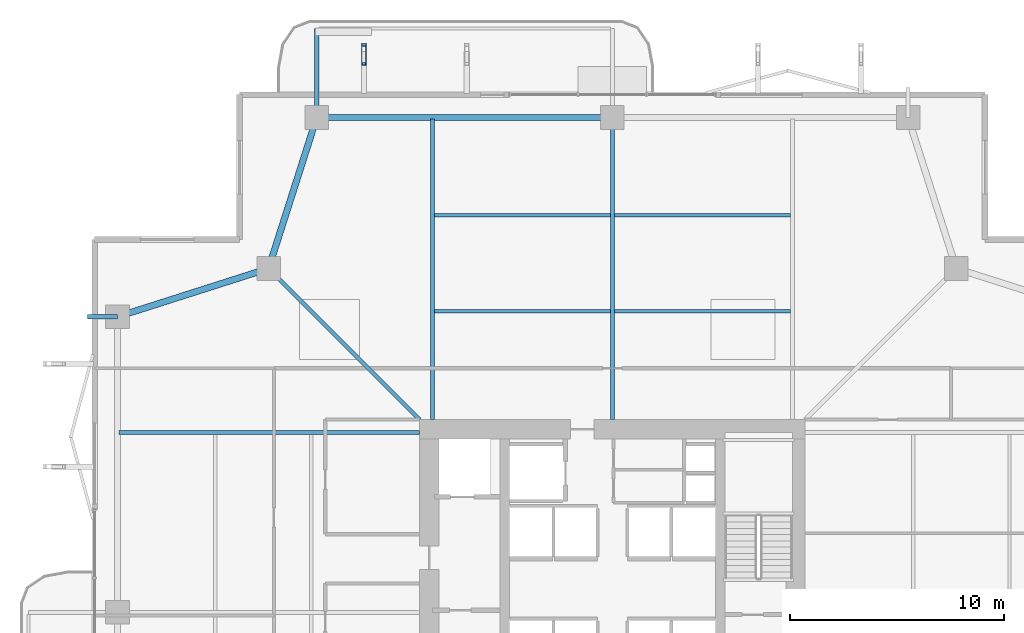
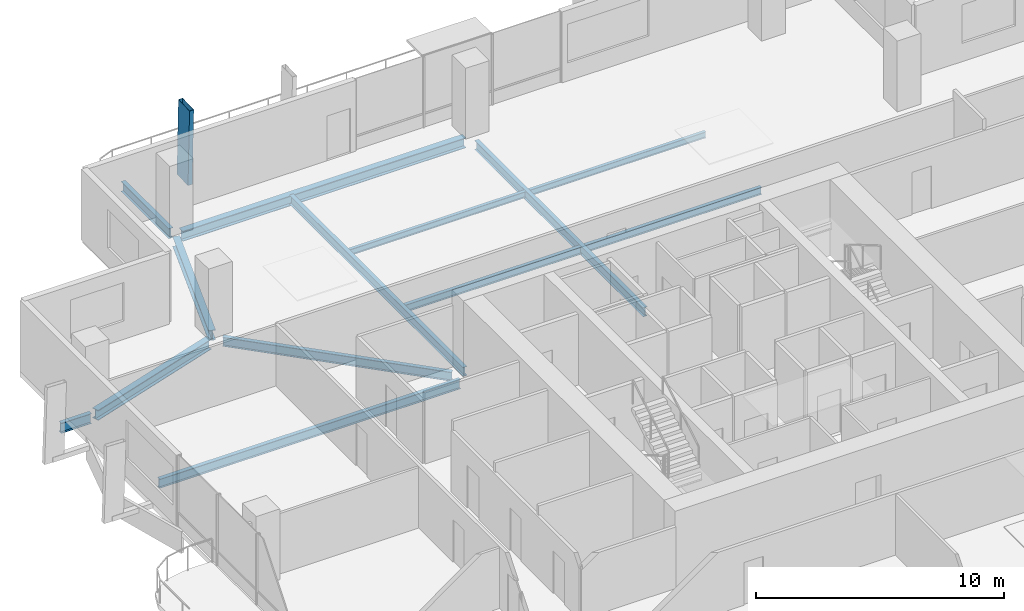
# One storey, part 12 of 25: 13 beams, 1 member.
"""IFC4 building model written with IfcOpenShell, lengths in metres."""

from ifc_helpers import new_model, si_unit, direction, frame, origin, origin_2d, place, context, subcontext, project, spatial, hollow_rectangle, i_section, extrude, material, material_profile, profile_set, type_object, element, save


model = new_model("IFC4")

# Units and contexts
model_context = context("Model", 3, precision=1e-05, world=origin(), true_north=direction((0.0, 1.0)))
body_context = subcontext(model_context, "Body", "Model", "MODEL_VIEW")
ifc_project = project(units=[si_unit("LENGTHUNIT", "METRE"), si_unit("AREAUNIT", "SQUARE_METRE"), si_unit("VOLUMEUNIT", "CUBIC_METRE"), si_unit("PLANEANGLEUNIT", "RADIAN"), si_unit("MASSUNIT", "GRAM", prefix="KILO")], contexts=[model_context])

# Site, building, storey
site_placement = place(None, origin())
site = spatial("IfcSite", under=ifc_project, at=site_placement, CompositionType="ELEMENT")
building_placement = place(site_placement, origin())
building = spatial("IfcBuilding", under=site, at=building_placement, Name="Belovzor Exchange Tower", CompositionType="ELEMENT")
storey_placement = place(building_placement, frame((0.0, 0.0, 142.050048828125)))
storey = spatial("IfcBuildingStorey", under=building, at=storey_placement, Name="L34", CompositionType="ELEMENT", Elevation=142.050048828125)

# Beams
ifc_material_1 = material(Name="Steel S355", Category="steel")
ifc_material_profile_1 = material_profile(ifc_material_1, i_section(OverallWidth=0.199951171875, OverallDepth=0.5, WebThickness=0.01025390625, FlangeThickness=0.01611328125, at=origin_2d()))
ifc_profile_set_1 = profile_set([ifc_material_profile_1], Name="Steel S355")
beam_type_1 = type_object("IfcBeamType", Name="Planted Balcony Cantilever Beam IPE 500", PredefinedType="BEAM", material=ifc_profile_set_1)
beam_1_placement = place(storey_placement, frame((15.0, 52.202880859375, -0.505126953125), z_axis=(0.0, 1.0, 0.0), x_axis=(-1.0, 0.0, 0.0)))
element("IfcBeam", 1, at=beam_1_placement, inside=storey, type_object=beam_type_1, Name="BC-500 Planted Balcony Cantilever Beam IPE 500", PredefinedType="BEAM", context=body_context, shape_type="SweptSolid", body=[
    extrude(i_section(OverallWidth=0.199951171875, OverallDepth=0.5, WebThickness=0.01025390625, FlangeThickness=0.01611328125, at=origin_2d()), origin(), (0.0, 0.0, 1.0), 3.85009765625),
])
beam_2_placement = place(storey_placement, frame((5.699951171875, 42.60009765625, -0.505126953125), z_axis=(-1.0, 0.0, 0.0), x_axis=(0.0, -1.0, 0.0)))
element("IfcBeam", 2, at=beam_2_placement, inside=storey, type_object=beam_type_1, Name="BC-500 Planted Balcony Cantilever Beam IPE 500", PredefinedType="BEAM", context=body_context, shape_type="SweptSolid", body=[
    extrude(i_section(OverallWidth=0.199951171875, OverallDepth=0.5, WebThickness=0.01025390625, FlangeThickness=0.01611328125, at=origin_2d()), origin(), (0.0, 0.0, 1.0), 1.39990234375),
])
ifc_material_2 = material(Name="Steel S355", Category="steel")
ifc_material_profile_2 = material_profile(ifc_material_2, i_section(OverallWidth=0.169921875, OverallDepth=0.360107421875, WebThickness=0.008056640625, FlangeThickness=0.0126953125, at=origin_2d()))
ifc_profile_set_2 = profile_set([ifc_material_profile_2], Name="Steel S355")
beam_type_2 = type_object("IfcBeamType", Name="Secondary Infill Floor Joist IPE 360", PredefinedType="BEAM", material=ifc_profile_set_2)
for number, where, z_axis, x_axis, name in (
    (3, (20.4951171875, 42.84912109375, -0.43505859375), (1.0, 0.0, 0.0), (0.0, 1.0, 0.0), "FJ-360 Secondary Infill Floor Joist IPE 360"),
    (4, (28.89501953125, 42.84912109375, -0.43505859375), (1.0, 0.0, 0.0), (0.0, 1.0, 0.0), "FJ-360 Secondary Infill Floor Joist IPE 360"),
):
    element("IfcBeam", number, at=place(storey_placement, frame(where, z_axis=z_axis, x_axis=x_axis)), inside=storey, type_object=beam_type_2, Name=name, PredefinedType="BEAM", context=body_context, shape_type="SweptSolid", body=[
        extrude(i_section(OverallWidth=0.169921875, OverallDepth=0.360107421875, WebThickness=0.008056640625, FlangeThickness=0.0126953125, at=origin_2d()), origin(), (0.0, 0.0, 1.0), 8.2099609375),
    ])
ifc_material_3 = material(Name="Steel S355", Category="steel")
ifc_material_profile_3 = material_profile(ifc_material_3, i_section(OverallWidth=0.14990234375, OverallDepth=0.300048828125, WebThickness=0.007080078125, FlangeThickness=0.0107421875, at=origin_2d()))
ifc_profile_set_3 = profile_set([ifc_material_profile_3], Name="Steel S355")
beam_type_3 = type_object("IfcBeamType", Name="Secondary Trim Floor Joist IPE 300", PredefinedType="BEAM", material=ifc_profile_set_3)
for number, where, z_axis, x_axis, name in (
    (5, (20.4951171875, 47.3369140625, -0.405029296875), (1.0, 0.0, 0.0), (0.0, 1.0, 0.0), "FJ-300 Secondary Trim Floor Joist IPE 300"),
    (6, (28.89501953125, 47.3369140625, -0.405029296875), (1.0, 0.0, 0.0), (0.0, 1.0, 0.0), "FJ-300 Secondary Trim Floor Joist IPE 300"),
):
    element("IfcBeam", number, at=place(storey_placement, frame(where, z_axis=z_axis, x_axis=x_axis)), inside=storey, type_object=beam_type_3, Name=name, PredefinedType="BEAM", context=body_context, shape_type="SweptSolid", body=[
        extrude(i_section(OverallWidth=0.14990234375, OverallDepth=0.300048828125, WebThickness=0.007080078125, FlangeThickness=0.0107421875, at=origin_2d()), origin(), (0.0, 0.0, 1.0), 8.2099609375),
    ])

# Member
ifc_material_4 = material(Name="Extruded Architectural Terracotta on Steel S355 Carrier", Category="masonry")
ifc_material_profile_4 = material_profile(ifc_material_4, hollow_rectangle(XDim=0.199951171875, YDim=0.89990234375, WallThickness=0.011962890625, at=origin_2d()))
ifc_profile_set_4 = profile_set([ifc_material_profile_4], Name="Extruded Architectural Terracotta on Steel S355 Carrier")
member_type = type_object("IfcMemberType", Name="Sweeping Terracotta Baguette Fin Assembly 1250", PredefinedType="USERDEFINED", material=ifc_profile_set_4)
member_placement = place(storey_placement, frame((17.199951171875, 54.906982421875, -0.255126953125), z_axis=(0.0, -0.033054843619, 0.999453539347), x_axis=(1.0, 0.0, 0.0)))
element("IfcMember", 7, at=member_placement, inside=storey, type_object=member_type, Name="FIN-TC125 Terracotta Facade Fin L34 N1", ObjectType="FIN", PredefinedType="USERDEFINED", context=body_context, shape_type="SweptSolid", body=[
    extrude(hollow_rectangle(XDim=0.199951171875, YDim=0.89990234375, WallThickness=0.011962890625, at=origin_2d()), origin(), (0.0, 0.0, 1.0), 3.751953125),
])

# Beams
ifc_material_5 = material(Name="Steel S355", Category="steel")
ifc_material_profile_5 = material_profile(ifc_material_5, i_section(OverallWidth=0.18994140625, OverallDepth=0.449951171875, WebThickness=0.009521484375, FlangeThickness=0.0146484375, at=origin_2d()))
ifc_profile_set_5 = profile_set([ifc_material_profile_5], Name="Steel S355")
beam_type_4 = type_object("IfcBeamType", Name="Zone 2-4 Radial Composite Floor Beam IPE 450", PredefinedType="BEAM", material=ifc_profile_set_5)
beam_3_placement = place(storey_placement, frame((20.39990234375, 37.800048828125, -0.47998046875), z_axis=(0.0, 1.0, 0.0), x_axis=(-1.0, 0.0, 0.0)))
element("IfcBeam", 8, at=beam_3_placement, inside=storey, type_object=beam_type_4, Name="FB-450 Zone 2-4 Radial Composite Floor Beam IPE 450", PredefinedType="BEAM", context=body_context, shape_type="SweptSolid", body=[
    extrude(i_section(OverallWidth=0.18994140625, OverallDepth=0.449951171875, WebThickness=0.009521484375, FlangeThickness=0.0146484375, at=origin_2d()), origin(), (0.0, 0.0, 1.0), 14.02490234375),
])
beam_4_placement = place(storey_placement, frame((28.800048828125, 37.800048828125, -0.47998046875), z_axis=(0.0, 1.0, 0.0), x_axis=(-1.0, 0.0, 0.0)))
element("IfcBeam", 9, at=beam_4_placement, inside=storey, type_object=beam_type_4, Name="FB-450 Zone 2-4 Radial Composite Floor Beam IPE 450", PredefinedType="BEAM", context=body_context, shape_type="SweptSolid", body=[
    extrude(i_section(OverallWidth=0.18994140625, OverallDepth=0.449951171875, WebThickness=0.009521484375, FlangeThickness=0.0146484375, at=origin_2d()), origin(), (0.0, 0.0, 1.0), 13.615966796875),
])
beam_5_placement = place(storey_placement, frame((19.800048828125, 37.199951171875, -0.47998046875), z_axis=(-1.0, 0.0, 0.0), x_axis=(0.0, -1.0, 0.0)))
element("IfcBeam", 10, at=beam_5_placement, inside=storey, type_object=beam_type_4, Name="FB-450 Zone 2-4 Radial Composite Floor Beam IPE 450", PredefinedType="BEAM", context=body_context, shape_type="SweptSolid", body=[
    extrude(i_section(OverallWidth=0.18994140625, OverallDepth=0.449951171875, WebThickness=0.009521484375, FlangeThickness=0.0146484375, at=origin_2d()), origin(), (0.0, 0.0, 1.0), 14.025146484375),
])
beam_6_placement = place(storey_placement, frame((19.800048828125, 37.800048828125, -0.47998046875), z_axis=(-0.707119521505, 0.707094040639, 0.0), x_axis=(-0.707094040639, -0.707119521505, 0.0)))
element("IfcBeam", 11, at=beam_6_placement, inside=storey, type_object=beam_type_4, Name="FB-450 Zone 2-4 Radial Composite Floor Beam IPE 450", PredefinedType="BEAM", context=body_context, shape_type="SweptSolid", body=[
    extrude(i_section(OverallWidth=0.18994140625, OverallDepth=0.449951171875, WebThickness=0.009521484375, FlangeThickness=0.0146484375, at=origin_2d()), origin(), (0.0, 0.0, 1.0), 9.581298828125),
])
ifc_material_6 = material(Name="Steel S355", Category="steel")
ifc_material_profile_6 = material_profile(ifc_material_6, i_section(OverallWidth=0.300048828125, OverallDepth=0.5, WebThickness=0.014404296875, FlangeThickness=0.028076171875, at=origin_2d()))
ifc_profile_set_6 = profile_set([ifc_material_profile_6], Name="Steel S355")
beam_type_5 = type_object("IfcBeamType", Name="Zone 3 Waist Primary Girder HEB 500", PredefinedType="BEAM", material=ifc_profile_set_6)
beam_7_placement = place(storey_placement, frame((28.498046875, 51.89990234375, -0.505126953125), z_axis=(-1.0, 0.0, 0.0), x_axis=(0.0, -1.0, 0.0)))
element("IfcBeam", 12, at=beam_7_placement, inside=storey, type_object=beam_type_5, Name="FG-Z3 Zone 3 Waist Primary Girder HEB 500", PredefinedType="BEAM", context=body_context, shape_type="SweptSolid", body=[
    extrude(i_section(OverallWidth=0.300048828125, OverallDepth=0.5, WebThickness=0.014404296875, FlangeThickness=0.028076171875, at=origin_2d()), origin(), (0.0, 0.0, 1.0), 13.195068359375),
])
for number, where, z_axis, x_axis, name in (
    (13, (14.907958984375, 51.612060546875, -0.505126953125), (-0.304001325621, -0.952671608699, 0.0), (0.952671608699, -0.304001325621, 0.0), "FG-Z3 Zone 3 Waist Primary Girder HEB 500"),
    (14, (12.4619140625, 44.758056640625, -0.505126953125), (-0.952657882792, -0.304044336164, 0.0), (0.304044336164, -0.952657882792, 0.0), "FG-Z3 Zone 3 Waist Primary Girder HEB 500"),
):
    element("IfcBeam", number, at=place(storey_placement, frame(where, z_axis=z_axis, x_axis=x_axis)), inside=storey, type_object=beam_type_5, Name=name, PredefinedType="BEAM", context=body_context, shape_type="SweptSolid", body=[
        extrude(i_section(OverallWidth=0.300048828125, OverallDepth=0.5, WebThickness=0.014404296875, FlangeThickness=0.028076171875, at=origin_2d()), origin(), (0.0, 0.0, 1.0), 6.795654296875),
    ])

save(model, "model.ifc")
